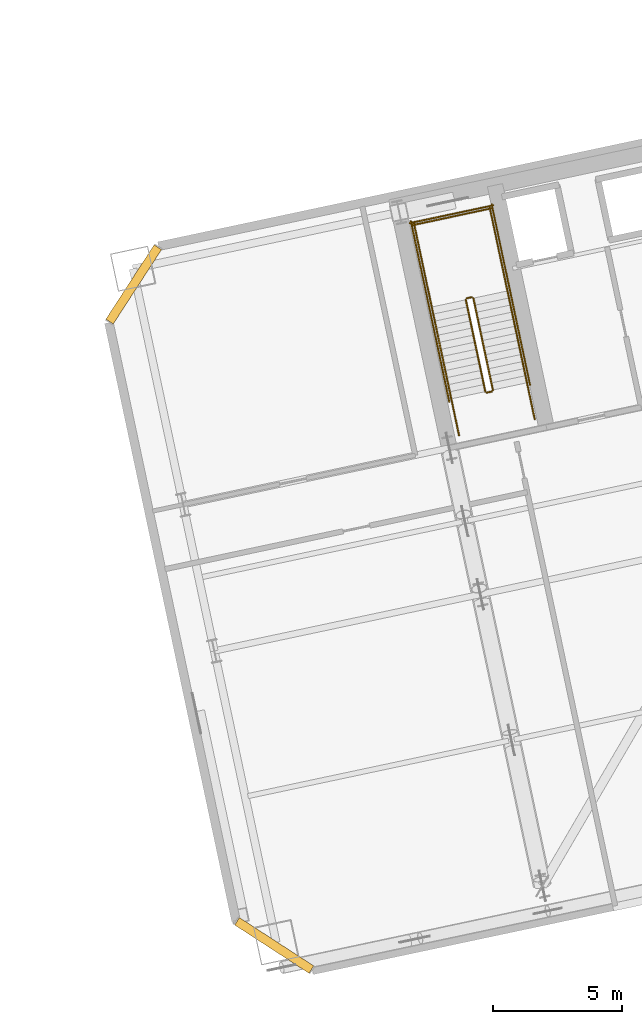
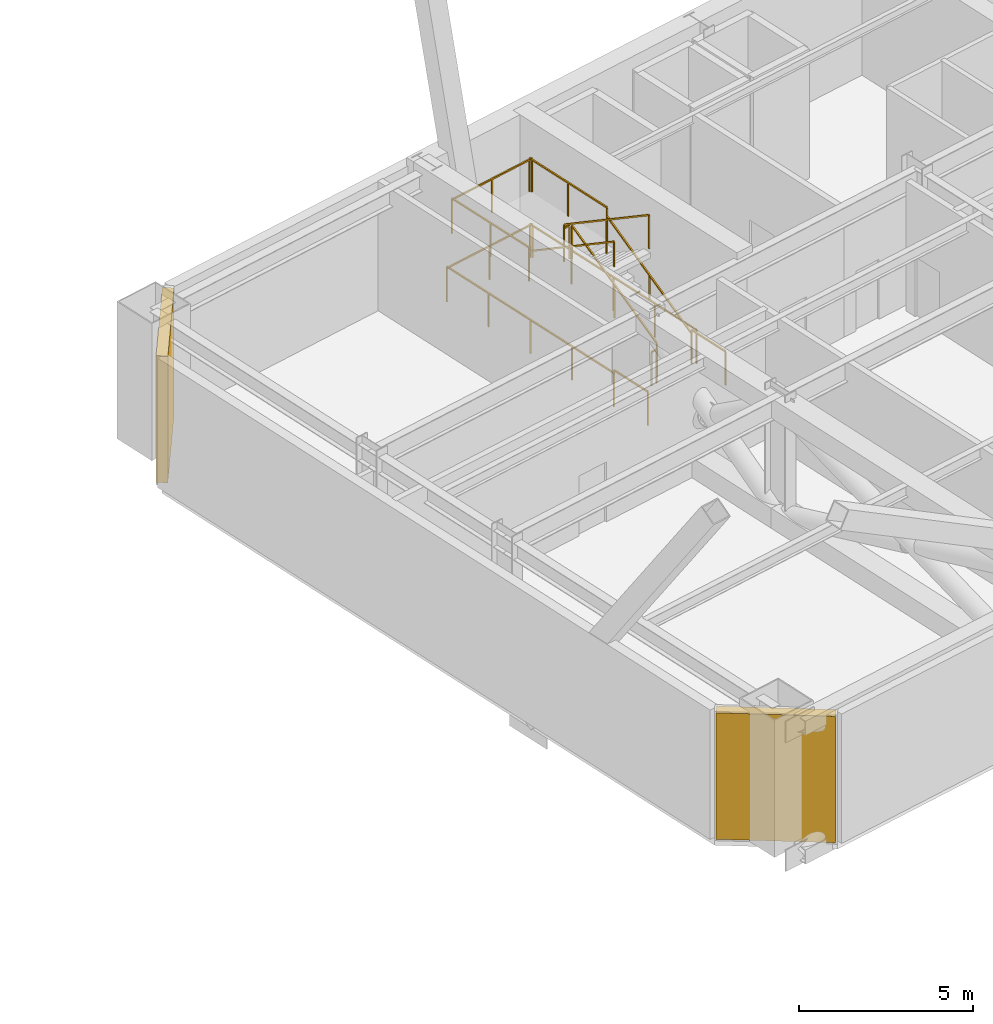
# One storey, part 15 of 17: 14 railings, 2 shading devices.
"""IFC4 building model written with IfcOpenShell, lengths in metres."""

from ifc_helpers import new_model, si_unit, direction, frame, origin, origin_2d, place, context, subcontext, project, spatial, rectangle, extrude, material, layer, layer_set, type_object, element, save


model = new_model("IFC4")

# Units and contexts
model_context = context("Model", 3, precision=1e-05, world=origin(), true_north=direction((0.0, 1.0)))
body_context = subcontext(model_context, "Body", "Model", "MODEL_VIEW")
ifc_project = project(units=[si_unit("LENGTHUNIT", "METRE"), si_unit("AREAUNIT", "SQUARE_METRE"), si_unit("VOLUMEUNIT", "CUBIC_METRE"), si_unit("PLANEANGLEUNIT", "RADIAN"), si_unit("MASSUNIT", "GRAM", prefix="KILO")], contexts=[model_context])

# Site, building, storey
site_placement = place(None, origin())
site = spatial("IfcSite", under=ifc_project, at=site_placement, CompositionType="ELEMENT")
building_placement = place(site_placement, origin())
building = spatial("IfcBuilding", under=site, at=building_placement, Name="Haevon Station Towers", CompositionType="ELEMENT")
storey_placement = place(building_placement, frame((0.0, 0.0, 81.89990234375)))
storey = spatial("IfcBuildingStorey", under=building, at=storey_placement, Name="L21", CompositionType="ELEMENT", Elevation=81.89990234375)

# Railings
ifc_material_1 = material(Name="Steel S355", Category="steel")
railing_type_1 = type_object("IfcRailingType", Name="GRD-STR1200", PredefinedType="GUARDRAIL", material=ifc_material_1)
railing_1_placement = place(storey_placement, frame((100.44140625, 39.69287109375, 0.171630859375)))
element("IfcRailing", 1, at=railing_1_placement, inside=storey, type_object=railing_type_1, Name="L21 ST3 Stair Guard 1", PredefinedType="GUARDRAIL", context=body_context, shape_type="SweptSolid", body=[
    extrude(rectangle(XDim=0.048095703125, YDim=0.048095703125, at=origin_2d()), frame((0.0, 0.0, 1.17578125), z_axis=(-0.17733280689, 0.834207846092, 0.522159310096), x_axis=(-0.978143676638, -0.20793015138, 0.0)), (0.0, 0.0, 1.0), 4.267822265625),
    extrude(rectangle(XDim=0.0419921875, YDim=0.0419921875, at=origin_2d()), origin(), (0.0, 0.0, 1.0), 1.15185546875),
    extrude(rectangle(XDim=0.0419921875, YDim=0.0419921875, at=origin_2d()), frame((-0.37841796875, 1.7802734375, 1.1142578125)), (0.0, 0.0, 1.0), 1.15185546875),
    extrude(rectangle(XDim=0.0419921875, YDim=0.0419921875, at=origin_2d()), frame((-0.7568359375, 3.560302734375, 2.228515625)), (0.0, 0.0, 1.0), 1.15185546875),
])
railing_2_placement = place(storey_placement, frame((99.625244140625, 43.291748046875, 2.400146484375)))
element("IfcRailing", 2, at=railing_2_placement, inside=storey, type_object=railing_type_1, Name="L21 ST3 Stair Guard 2", PredefinedType="GUARDRAIL", context=body_context, shape_type="SweptSolid", body=[
    extrude(rectangle(XDim=0.048095703125, YDim=0.048095703125, at=origin_2d()), frame((0.0, 0.0, 1.17578125), z_axis=(-0.978211583308, -0.207610448392, 0.0), x_axis=(0.207610448392, -0.978211583308, 0.0)), (0.0, 0.0, 1.0), 0.199951171875),
    extrude(rectangle(XDim=0.0419921875, YDim=0.0419921875, at=origin_2d()), origin(), (0.0, 0.0, 1.0), 1.15185546875),
    extrude(rectangle(XDim=0.0419921875, YDim=0.0419921875, at=origin_2d()), frame((-0.195556640625, -0.04150390625, 0.0)), (0.0, 0.0, 1.0), 1.15185546875),
])
railing_3_placement = place(storey_placement, frame((101.005126953125, 43.533935546875, 2.400146484375)))
element("IfcRailing", 3, at=railing_3_placement, inside=storey, type_object=railing_type_1, Name="L21 ST3 Stair Guard 3", PredefinedType="GUARDRAIL", context=body_context, shape_type="SweptSolid", body=[
    extrude(rectangle(XDim=0.048095703125, YDim=0.048095703125, at=origin_2d()), frame((0.0, 0.0, 1.17578125), z_axis=(-0.207931975805, 0.978143288807, 0.0), x_axis=(-0.978143288807, -0.207931975805, 0.0)), (0.0, 0.0, 1.0), 3.309814453125),
    extrude(rectangle(XDim=0.0419921875, YDim=0.0419921875, at=origin_2d()), origin(), (0.0, 0.0, 1.0), 1.15185546875),
    extrude(rectangle(XDim=0.0419921875, YDim=0.0419921875, at=origin_2d()), frame((-0.34423828125, 1.61865234375, 0.0)), (0.0, 0.0, 1.0), 1.15185546875),
    extrude(rectangle(XDim=0.0419921875, YDim=0.0419921875, at=origin_2d()), frame((-0.688232421875, 3.237548828125, 0.0)), (0.0, 0.0, 1.0), 1.15185546875),
])
railing_4_placement = place(storey_placement, frame((98.070556640625, 42.91015625, 2.400146484375)))
element("IfcRailing", 4, at=railing_4_placement, inside=storey, type_object=railing_type_1, Name="L21 ST3 Stair Guard 4", PredefinedType="GUARDRAIL", context=body_context, shape_type="SweptSolid", body=[
    extrude(rectangle(XDim=0.048095703125, YDim=0.048095703125, at=origin_2d()), frame((0.0, 0.0, 1.17578125), z_axis=(-0.207846406048, 0.978161475163, 0.0), x_axis=(-0.978161475163, -0.207846406048, 0.0)), (0.0, 0.0, 1.0), 3.31005859375),
    extrude(rectangle(XDim=0.0419921875, YDim=0.0419921875, at=origin_2d()), origin(), (0.0, 0.0, 1.0), 1.15185546875),
    extrude(rectangle(XDim=0.0419921875, YDim=0.0419921875, at=origin_2d()), frame((-0.343994140625, 1.618896484375, 0.0)), (0.0, 0.0, 1.0), 1.15185546875),
    extrude(rectangle(XDim=0.0419921875, YDim=0.0419921875, at=origin_2d()), frame((-0.68798828125, 3.23779296875, 0.0)), (0.0, 0.0, 1.0), 1.15185546875),
])
railing_5_placement = place(storey_placement, frame((100.376220703125, 46.733154296875, 2.400146484375)))
element("IfcRailing", 5, at=railing_5_placement, inside=storey, type_object=railing_type_1, Name="L21 ST3 Stair Guard 5", PredefinedType="GUARDRAIL", context=body_context, shape_type="SweptSolid", body=[
    extrude(rectangle(XDim=0.048095703125, YDim=0.048095703125, at=origin_2d()), frame((0.0, 0.0, 1.17578125), z_axis=(-0.978146839882, -0.207915270313, 0.0), x_axis=(0.207915270313, -0.978146839882, 0.0)), (0.0, 0.0, 1.0), 3.099853515625),
    extrude(rectangle(XDim=0.0419921875, YDim=0.0419921875, at=origin_2d()), origin(), (0.0, 0.0, 1.0), 1.15185546875),
    extrude(rectangle(XDim=0.0419921875, YDim=0.0419921875, at=origin_2d()), frame((-1.51611328125, -0.322265625, 0.0)), (0.0, 0.0, 1.0), 1.15185546875),
    extrude(rectangle(XDim=0.0419921875, YDim=0.0419921875, at=origin_2d()), frame((-3.0322265625, -0.64453125, 0.0)), (0.0, 0.0, 1.0), 1.15185546875),
])
railing_6_placement = place(storey_placement, frame((99.39111328125, 43.19091796875, 2.571533203125)))
element("IfcRailing", 6, at=railing_6_placement, inside=storey, type_object=railing_type_1, Name="L21 ST3 Stair Guard 6", PredefinedType="GUARDRAIL", context=body_context, shape_type="SweptSolid", body=[
    extrude(rectangle(XDim=0.048095703125, YDim=0.048095703125, at=origin_2d()), frame((0.0, 0.0, 1.17578125), z_axis=(0.177324344861, -0.834225240467, 0.522134393512), x_axis=(0.978146576304, 0.207916510322, 0.0)), (0.0, 0.0, 1.0), 4.26806640625),
    extrude(rectangle(XDim=0.0419921875, YDim=0.0419921875, at=origin_2d()), origin(), (0.0, 0.0, 1.0), 1.15185546875),
    extrude(rectangle(XDim=0.0419921875, YDim=0.0419921875, at=origin_2d()), frame((0.37841796875, -1.7802734375, 1.1142578125)), (0.0, 0.0, 1.0), 1.15185546875),
    extrude(rectangle(XDim=0.0419921875, YDim=0.0419921875, at=origin_2d()), frame((0.7568359375, -3.560546875, 2.228515625)), (0.0, 0.0, 1.0), 1.15185546875),
])
railing_7_placement = place(storey_placement, frame((100.40283203125, 39.633544921875, 0.0)))
element("IfcRailing", 7, at=railing_7_placement, inside=storey, type_object=railing_type_1, Name="L21 ST3 Stair Guard 7", PredefinedType="GUARDRAIL", context=body_context, shape_type="SweptSolid", body=[
    extrude(rectangle(XDim=0.048095703125, YDim=0.048095703125, at=origin_2d()), frame((0.0, 0.0, 1.17578125), z_axis=(-0.977962931203, -0.208778603291, 0.0), x_axis=(0.208778603291, -0.977962931203, 0.0)), (0.0, 0.0, 1.0), 0.199951171875),
    extrude(rectangle(XDim=0.0419921875, YDim=0.0419921875, at=origin_2d()), origin(), (0.0, 0.0, 1.0), 1.15185546875),
    extrude(rectangle(XDim=0.0419921875, YDim=0.0419921875, at=origin_2d()), frame((-0.195556640625, -0.041748046875, 0.0)), (0.0, 0.0, 1.0), 1.15185546875),
])
for number, where, name in (
    (8, (102.0634765625, 38.55517578125, 0.0), "L21 ST3 Stair Guard 8"),
    (9, (99.12890625, 37.931396484375, 0.0), "L21 ST3 Stair Guard 9"),
):
    element("IfcRailing", number, at=place(storey_placement, frame(where)), inside=storey, type_object=railing_type_1, Name=name, PredefinedType="GUARDRAIL", context=body_context, shape_type="SweptSolid", body=[
        extrude(rectangle(XDim=0.048095703125, YDim=0.048095703125, at=origin_2d()), frame((0.0, 0.0, 1.17578125), z_axis=(-0.207953405961, 0.978138732977, 0.0), x_axis=(-0.978138732977, -0.207953405961, 0.0)), (0.0, 0.0, 1.0), 1.449951171875),
        extrude(rectangle(XDim=0.0419921875, YDim=0.0419921875, at=origin_2d()), origin(), (0.0, 0.0, 1.0), 1.15185546875),
        extrude(rectangle(XDim=0.0419921875, YDim=0.0419921875, at=origin_2d()), frame((-0.301513671875, 1.418212890625, 0.0)), (0.0, 0.0, 1.0), 1.15185546875),
    ])
railing_8_placement = place(storey_placement, frame((101.88037109375, 39.896484375, 0.0)))
element("IfcRailing", 10, at=railing_8_placement, inside=storey, type_object=railing_type_1, Name="L21 ST3 Stair Guard 10", PredefinedType="GUARDRAIL", context=body_context, shape_type="SweptSolid", body=[
    extrude(rectangle(XDim=0.048095703125, YDim=0.048095703125, at=origin_2d()), frame((0.0, 0.0, 1.17578125), z_axis=(-0.207882442208, 0.978153817261, 0.0), x_axis=(-0.978153817261, -0.207882442208, 0.0)), (0.0, 0.0, 1.0), 7.14990234375),
    extrude(rectangle(XDim=0.0419921875, YDim=0.0419921875, at=origin_2d()), origin(), (0.0, 0.0, 1.0), 1.15185546875),
    extrude(rectangle(XDim=0.0419921875, YDim=0.0419921875, at=origin_2d()), frame((-0.37158203125, 1.74853515625, 0.0)), (0.0, 0.0, 1.0), 1.15185546875),
    extrude(rectangle(XDim=0.0419921875, YDim=0.0419921875, at=origin_2d()), frame((-0.7431640625, 3.496826171875, 0.0)), (0.0, 0.0, 1.0), 1.15185546875),
    extrude(rectangle(XDim=0.0419921875, YDim=0.0419921875, at=origin_2d()), frame((-1.11474609375, 5.2451171875, 0.0)), (0.0, 0.0, 1.0), 1.15185546875),
    extrude(rectangle(XDim=0.0419921875, YDim=0.0419921875, at=origin_2d()), frame((-1.486328125, 6.99365234375, 0.0)), (0.0, 0.0, 1.0), 1.15185546875),
])
railing_9_placement = place(storey_placement, frame((98.75048828125, 39.231201171875, 0.0)))
element("IfcRailing", 11, at=railing_9_placement, inside=storey, type_object=railing_type_1, Name="L21 ST3 Stair Guard 11", PredefinedType="GUARDRAIL", context=body_context, shape_type="SweptSolid", body=[
    extrude(rectangle(XDim=0.048095703125, YDim=0.048095703125, at=origin_2d()), frame((0.0, 0.0, 1.17578125), z_axis=(-0.207915112487, 0.978146873429, 0.0), x_axis=(-0.978146873429, -0.207915112487, 0.0)), (0.0, 0.0, 1.0), 7.14990234375),
    extrude(rectangle(XDim=0.0419921875, YDim=0.0419921875, at=origin_2d()), origin(), (0.0, 0.0, 1.0), 1.15185546875),
    extrude(rectangle(XDim=0.0419921875, YDim=0.0419921875, at=origin_2d()), frame((-0.37158203125, 1.74853515625, 0.0)), (0.0, 0.0, 1.0), 1.15185546875),
    extrude(rectangle(XDim=0.0419921875, YDim=0.0419921875, at=origin_2d()), frame((-0.7431640625, 3.496826171875, 0.0)), (0.0, 0.0, 1.0), 1.15185546875),
    extrude(rectangle(XDim=0.0419921875, YDim=0.0419921875, at=origin_2d()), frame((-1.114990234375, 5.2451171875, 0.0)), (0.0, 0.0, 1.0), 1.15185546875),
    extrude(rectangle(XDim=0.0419921875, YDim=0.0419921875, at=origin_2d()), frame((-1.486572265625, 6.99365234375, 0.0)), (0.0, 0.0, 1.0), 1.15185546875),
])
railing_10_placement = place(storey_placement, frame((100.453125, 46.8515625, 0.0)))
element("IfcRailing", 12, at=railing_10_placement, inside=storey, type_object=railing_type_1, Name="L21 ST3 Stair Guard 12", PredefinedType="GUARDRAIL", context=body_context, shape_type="SweptSolid", body=[
    extrude(rectangle(XDim=0.048095703125, YDim=0.048095703125, at=origin_2d()), frame((0.0, 0.0, 1.17578125), z_axis=(-0.978150764849, -0.207896804268, 0.0), x_axis=(0.207896804268, -0.978150764849, 0.0)), (0.0, 0.0, 1.0), 3.2998046875),
    extrude(rectangle(XDim=0.0419921875, YDim=0.0419921875, at=origin_2d()), origin(), (0.0, 0.0, 1.0), 1.15185546875),
    extrude(rectangle(XDim=0.0419921875, YDim=0.0419921875, at=origin_2d()), frame((-1.61376953125, -0.343017578125, 0.0)), (0.0, 0.0, 1.0), 1.15185546875),
    extrude(rectangle(XDim=0.0419921875, YDim=0.0419921875, at=origin_2d()), frame((-3.227783203125, -0.68603515625, 0.0)), (0.0, 0.0, 1.0), 1.15185546875),
])
railing_type_2 = type_object("IfcRailingType", Name="HND-STR900", PredefinedType="HANDRAIL", material=ifc_material_1)
railing_11_placement = place(storey_placement, frame((101.761962890625, 39.973388671875, 0.171630859375)))
element("IfcRailing", 13, at=railing_11_placement, inside=storey, type_object=railing_type_2, Name="L21 ST3 Stair Handrail 1", PredefinedType="HANDRAIL", context=body_context, shape_type="SweptSolid", body=[
    extrude(rectangle(XDim=0.048095703125, YDim=0.048095703125, at=origin_2d()), frame((0.0, 0.0, 0.8759765625), z_axis=(-0.177324344861, 0.834225240467, 0.522134393512), x_axis=(-0.978146576304, -0.207916510322, 0.0)), (0.0, 0.0, 1.0), 4.26806640625),
    extrude(rectangle(XDim=0.0419921875, YDim=0.0419921875, at=origin_2d()), origin(), (0.0, 0.0, 1.0), 0.851806640625),
    extrude(rectangle(XDim=0.0419921875, YDim=0.0419921875, at=origin_2d()), frame((-0.37841796875, 1.7802734375, 1.1142578125)), (0.0, 0.0, 1.0), 0.851806640625),
    extrude(rectangle(XDim=0.0419921875, YDim=0.0419921875, at=origin_2d()), frame((-0.7568359375, 3.560546875, 2.228515625)), (0.0, 0.0, 1.0), 0.851806640625),
])
railing_12_placement = place(storey_placement, frame((98.070556640625, 42.91015625, 2.571533203125)))
element("IfcRailing", 14, at=railing_12_placement, inside=storey, type_object=railing_type_2, Name="L21 ST3 Stair Handrail 2", PredefinedType="HANDRAIL", context=body_context, shape_type="SweptSolid", body=[
    extrude(rectangle(XDim=0.048095703125, YDim=0.048095703125, at=origin_2d()), frame((0.0, 0.0, 0.8759765625), z_axis=(0.177324344861, -0.834225240467, 0.522134393512), x_axis=(0.978146576304, 0.207916510322, 0.0)), (0.0, 0.0, 1.0), 4.26806640625),
    extrude(rectangle(XDim=0.0419921875, YDim=0.0419921875, at=origin_2d()), origin(), (0.0, 0.0, 1.0), 0.851806640625),
    extrude(rectangle(XDim=0.0419921875, YDim=0.0419921875, at=origin_2d()), frame((0.37841796875, -1.7802734375, 1.1142578125)), (0.0, 0.0, 1.0), 0.851806640625),
    extrude(rectangle(XDim=0.0419921875, YDim=0.0419921875, at=origin_2d()), frame((0.7568359375, -3.560546875, 2.228515625)), (0.0, 0.0, 1.0), 0.851806640625),
])

# Shading devices
ifc_material_2 = material(Name="Anodised aluminium 6063-T6", Category="aluminium")
ifc_layer = layer(ifc_material_2, 0.139892578125)
ifc_layer_set = layer_set([ifc_layer], Name="Anodised aluminium 6063-T6")
shading_device_type = type_object("IfcShadingDeviceType", Name="SHD-WIND-BAFFLE", PredefinedType="SHUTTER", material=ifc_layer_set)
for number, where, z_axis, x_axis, name in (
    (15, (91.963134765625, 18.159423828125, 0.05029296875), (0.0, 0.0, 1.0), (-0.838670519647, 0.544639109388, 0.0), "Tower 2 L21 Wind-Corner Aerofoil Baffle SWC"),
    (16, (86.515869140625, 43.786865234375, 0.05029296875), (0.0, 0.0, 1.0), (0.544639109388, 0.838670519647, 0.0), "Tower 2 L21 Wind-Corner Aerofoil Baffle NWC"),
):
    element("IfcShadingDevice", number, at=place(storey_placement, frame(where, z_axis=z_axis, x_axis=x_axis)), inside=storey, type_object=shading_device_type, Name=name, PredefinedType="SHUTTER", context=body_context, shape_type="SweptSolid", body=[
        extrude(rectangle(XDim=3.435546875, YDim=0.340087890625, at=origin_2d()), origin(), (0.0, 0.0, 1.0), 4.429931640625),
    ])

save(model, "model.ifc")
